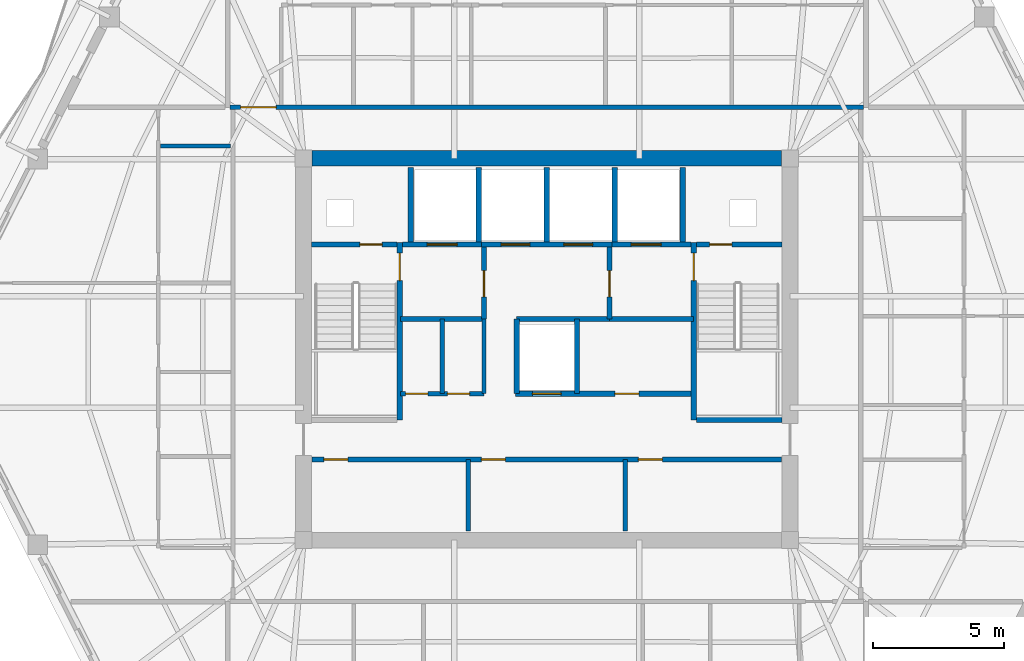
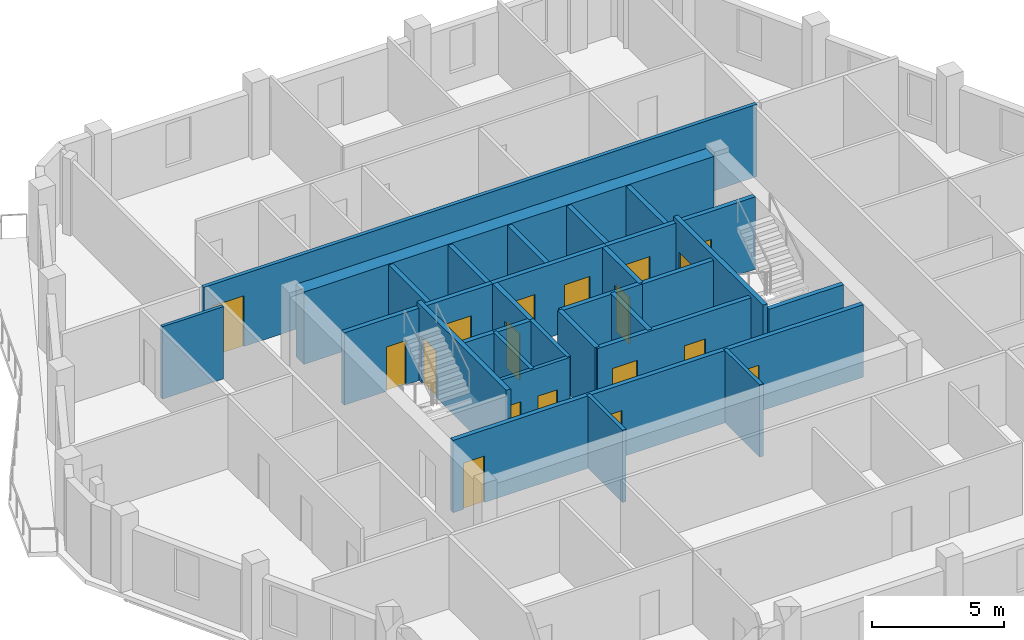
# One storey, part 5 of 9: 30 walls, 18 doors, 18 openings.
"""IFC4 building model written with IfcOpenShell, lengths in metres."""

from ifc_helpers import new_model, si_unit, direction, frame, frame_2d, origin, place, context, subcontext, project, spatial, rectangle, extrude, material, layer, layer_set, type_object, element, fill, save


model = new_model("IFC4")

# Units and contexts
model_context = context("Model", 3, precision=1e-05, world=origin(), true_north=direction((0.0, 1.0)))
body_context = subcontext(model_context, "Body", "Model", "MODEL_VIEW")
ifc_project = project(units=[si_unit("LENGTHUNIT", "METRE"), si_unit("AREAUNIT", "SQUARE_METRE"), si_unit("VOLUMEUNIT", "CUBIC_METRE"), si_unit("PLANEANGLEUNIT", "RADIAN"), si_unit("MASSUNIT", "GRAM", prefix="KILO")], contexts=[model_context])

# Site, building, storey
site_placement = place(None, origin())
site = spatial("IfcSite", under=ifc_project, at=site_placement, CompositionType="ELEMENT")
building_placement = place(site_placement, origin())
building = spatial("IfcBuilding", under=site, at=building_placement, Name="Cinnabar Lancet Tower", CompositionType="ELEMENT")
storey_placement = place(building_placement, frame((0.0, 0.0, 207.39990234375)))
storey = spatial("IfcBuildingStorey", under=building, at=storey_placement, Name="L55", CompositionType="ELEMENT", Elevation=207.39990234375)

# Wall, openings, doors
ifc_material_1 = material(Name="Acoustic twin-stud gypsum partition", Category="gypsum")
ifc_layer_1 = layer(ifc_material_1, 0.159912109375)
ifc_layer_set_1 = layer_set([ifc_layer_1], Name="Acoustic twin-stud gypsum partition")
wall_type_1 = type_object("IfcWallType", Name="ARC-WL-CORR-160", PredefinedType="PARTITIONING", material=ifc_layer_set_1)
wall_1_placement = place(storey_placement, frame((26.800048828125, 24.199951171875, 0.0), z_axis=(0.0, 0.0, 1.0), x_axis=(1.0, 0.0, 0.0)))
wall_1 = element("IfcWall", 1, at=wall_1_placement, inside=storey, type_object=wall_type_1, Name="CW-REC5S-L55", PredefinedType="PARTITIONING", context=body_context, shape_type="SweptSolid", body=[
    extrude(rectangle(XDim=3.199951171875, YDim=0.159912109375, at=frame_2d((1.60009765625, 0.0))), origin(), (0.0, 0.0, 1.0), 3.35009765625),
])
opening_1_placement = place(wall_1_placement, frame((0.199951171875, 0.0, 0.0)))
opening_1 = element("IfcOpeningElement", 2, at=opening_1_placement, cuts=wall_1, Name="Opening PD-02", PredefinedType="OPENING", context=body_context, shape_type="SweptSolid", body=[
    extrude(rectangle(XDim=0.85009765625, YDim=2.050048828125, at=frame_2d((0.425048828125, 1.02490234375))), frame((0.0, 0.08984375, 0.0), z_axis=(0.0, -1.0, 0.0), x_axis=(1.0, 0.0, 0.0)), (0.0, 0.0, 1.0), 0.179931640625),
])
opening_2_placement = place(wall_1_placement, frame((1.800048828125, 0.0, 0.0)))
opening_2 = element("IfcOpeningElement", 3, at=opening_2_placement, cuts=wall_1, Name="Opening PD-02", PredefinedType="OPENING", context=body_context, shape_type="SweptSolid", body=[
    extrude(rectangle(XDim=0.85009765625, YDim=2.050048828125, at=frame_2d((0.425048828125, 1.02490234375))), frame((0.0, 0.08984375, 0.0), z_axis=(0.0, -1.0, 0.0), x_axis=(1.0, 0.0, 0.0)), (0.0, 0.0, 1.0), 0.179931640625),
])
ifc_material_2 = material(Name="Fire-rated steel riser access door", Category="steel")
door_type_1 = type_object("IfcDoorType", Name="ARC-DR-RISER", OperationType="NOTDEFINED", PredefinedType="DOOR", material=ifc_material_2)
door_1_placement = place(opening_1_placement, origin())
door_1 = element("IfcDoor", 4, at=door_1_placement, inside=storey, type_object=door_type_1, Name="DR-L55-REC5A", OperationType="SINGLE_SWING_LEFT", OverallHeight=2.050048828125, OverallWidth=0.85009765625, PredefinedType="DOOR", context=body_context, shape_type="SweptSolid", body=[
    extrude(rectangle(XDim=0.85009765625, YDim=2.050048828125, at=frame_2d((0.425048828125, 1.02490234375))), frame((0.0, 0.02490234375, 0.0), z_axis=(0.0, -1.0, 0.0), x_axis=(1.0, 0.0, 0.0)), (0.0, 0.0, 1.0), 0.050048828125),
])
fill(opening_1, door_1)
door_2_placement = place(opening_2_placement, origin())
door_2 = element("IfcDoor", 5, at=door_2_placement, inside=storey, type_object=door_type_1, Name="DR-L55-REC5B", OperationType="SINGLE_SWING_RIGHT", OverallHeight=2.050048828125, OverallWidth=0.85009765625, PredefinedType="DOOR", context=body_context, shape_type="SweptSolid", body=[
    extrude(rectangle(XDim=0.85009765625, YDim=2.050048828125, at=frame_2d((0.425048828125, 1.02490234375))), frame((0.0, 0.02490234375, 0.0), z_axis=(0.0, -1.0, 0.0), x_axis=(1.0, 0.0, 0.0)), (0.0, 0.0, 1.0), 0.050048828125),
])
fill(opening_2, door_2)

# Walls
for number, where, z_axis, x_axis, name in (
    (6, (30.0, 24.199951171875, 0.0), (0.0, 0.0, 1.0), (0.0, 1.0, 0.0), "CW-REC5E-L55"),
    (7, (28.39990234375, 24.199951171875, 0.0), (0.0, 0.0, 1.0), (0.0, 1.0, 0.0), "CW-REC5D-L55"),
):
    element("IfcWall", number, at=place(storey_placement, frame(where, z_axis=z_axis, x_axis=x_axis)), inside=storey, type_object=wall_type_1, Name=name, PredefinedType="PARTITIONING", context=body_context, shape_type="SweptSolid", body=[
        extrude(rectangle(XDim=2.85009765625, YDim=0.159912109375, at=frame_2d((1.425048828125, 0.0))), origin(), (0.0, 0.0, 1.0), 3.35009765625),
    ])
for number, where, z_axis, x_axis, name in (
    (8, (29.39990234375, 18.949951171875, 0.0), (0.0, 0.0, 1.0), (0.0, 1.0, 0.0), "CW-SB-2940-L55"),
    (9, (35.39990234375, 18.949951171875, 0.0), (0.0, 0.0, 1.0), (0.0, 1.0, 0.0), "CW-SB-3540-L55"),
):
    element("IfcWall", number, at=place(storey_placement, frame(where, z_axis=z_axis, x_axis=x_axis)), inside=storey, type_object=wall_type_1, Name=name, PredefinedType="PARTITIONING", context=body_context, shape_type="SweptSolid", body=[
        extrude(rectangle(XDim=2.72998046875, YDim=0.159912109375, at=frame_2d((1.364990234375, 0.0))), origin(), (0.0, 0.0, 1.0), 3.35009765625),
    ])

# Wall, opening, door
wall_2_placement = place(storey_placement, frame((20.294921875, 35.14990234375, 0.0), z_axis=(0.0, 0.0, 1.0), x_axis=(1.0, 0.0, 0.0)))
wall_2 = element("IfcWall", 10, at=wall_2_placement, inside=storey, type_object=wall_type_1, Name="L55 Unit N01 Corridor Wall", PredefinedType="PARTITIONING", context=body_context, shape_type="SweptSolid", body=[
    extrude(rectangle(XDim=24.2099609375, YDim=0.159912109375, at=frame_2d((12.10498046875, 0.0))), origin(), (0.0, 0.0, 1.0), 3.35009765625),
])
opening_3_placement = place(wall_2_placement, frame((0.405029296875, 0.0, 0.0)))
opening_3 = element("IfcOpeningElement", 11, at=opening_3_placement, cuts=wall_2, Name="Opening UD-02", PredefinedType="OPENING", context=body_context, shape_type="SweptSolid", body=[
    extrude(rectangle(XDim=1.35009765625, YDim=2.35009765625, at=frame_2d((0.675048828125, 1.175048828125))), frame((0.0, 0.08984375, 0.0), z_axis=(0.0, -1.0, 0.0), x_axis=(1.0, 0.0, 0.0)), (0.0, 0.0, 1.0), 0.179931640625),
])
ifc_material_3 = material(Name="Double-leaf solid timber penthouse entrance door", Category="wood")
door_type_2 = type_object("IfcDoorType", Name="ARC-DR-UNIT-PH", OperationType="NOTDEFINED", PredefinedType="DOOR", material=ifc_material_3)
door_3_placement = place(opening_3_placement, origin())
door_3 = element("IfcDoor", 12, at=door_3_placement, inside=storey, type_object=door_type_2, Name="DR-L55-N01-ENT", OperationType="SINGLE_SWING_LEFT", OverallHeight=2.35009765625, OverallWidth=1.35009765625, PredefinedType="DOOR", context=body_context, shape_type="SweptSolid", body=[
    extrude(rectangle(XDim=1.35009765625, YDim=2.35009765625, at=frame_2d((0.675048828125, 1.175048828125))), frame((0.0, 0.02490234375, 0.0), z_axis=(0.0, -1.0, 0.0), x_axis=(1.0, 0.0, 0.0)), (0.0, 0.0, 1.0), 0.050048828125),
])
fill(opening_3, door_3)

# Wall
ifc_material_4 = material(Name="Autoclaved aerated concrete blockwork", Category="masonry")
ifc_layer_2 = layer(ifc_material_4, 0.199951171875)
ifc_layer_set_2 = layer_set([ifc_layer_2], Name="Autoclaved aerated concrete blockwork")
wall_type_2 = type_object("IfcWallType", Name="ARC-WL-SHAFT-200", PredefinedType="PLUMBINGWALL", material=ifc_layer_set_2)
wall_3_placement = place(storey_placement, frame((38.125, 23.199951171875, 0.0), z_axis=(0.0, 0.0, 1.0), x_axis=(1.0, 0.0, 0.0)))
element("IfcWall", 13, at=wall_3_placement, inside=storey, type_object=wall_type_2, Name="CW-ST2S-L55", PredefinedType="PLUMBINGWALL", context=body_context, shape_type="SweptSolid", body=[
    extrude(rectangle(XDim=3.27001953125, YDim=0.199951171875, at=frame_2d((1.635009765625, 0.0))), origin(), (0.0, 0.0, 1.0), 3.35009765625),
])

# Wall, opening, door
wall_4_placement = place(storey_placement, frame((23.405029296875, 29.89990234375, 0.0), z_axis=(0.0, 0.0, 1.0), x_axis=(1.0, 0.0, 0.0)))
wall_4 = element("IfcWall", 14, at=wall_4_placement, inside=storey, type_object=wall_type_2, Name="CW-NSH-W-L55", PredefinedType="PLUMBINGWALL", context=body_context, shape_type="SweptSolid", body=[
    extrude(rectangle(XDim=3.27001953125, YDim=0.199951171875, at=frame_2d((1.635009765625, 0.0))), origin(), (0.0, 0.0, 1.0), 3.35009765625),
])
opening_4_placement = place(wall_4_placement, frame((1.85009765625, 0.0, 0.0)))
opening_4 = element("IfcOpeningElement", 15, at=opening_4_placement, cuts=wall_4, Name="Opening PD-02", PredefinedType="OPENING", context=body_context, shape_type="SweptSolid", body=[
    extrude(rectangle(XDim=0.85009765625, YDim=2.050048828125, at=frame_2d((0.425048828125, 1.02490234375))), frame((0.0, 0.10986328125, 0.0), z_axis=(0.0, -1.0, 0.0), x_axis=(1.0, 0.0, 0.0)), (0.0, 0.0, 1.0), 0.219970703125),
])
door_4_placement = place(opening_4_placement, origin())
door_4 = element("IfcDoor", 16, at=door_4_placement, inside=storey, type_object=door_type_1, Name="L55 West Riser Access Door", OperationType="SINGLE_SWING_LEFT", OverallHeight=2.050048828125, OverallWidth=0.85009765625, PredefinedType="DOOR", context=body_context, shape_type="SweptSolid", body=[
    extrude(rectangle(XDim=0.85009765625, YDim=2.050048828125, at=frame_2d((0.425048828125, 1.02490234375))), frame((0.0, 0.02490234375, 0.0), z_axis=(0.0, -1.0, 0.0), x_axis=(1.0, 0.0, 0.0)), (0.0, 0.0, 1.0), 0.050048828125),
])
fill(opening_4, door_4)

wall_5_placement = place(storey_placement, frame((26.885009765625, 29.89990234375, 0.0), z_axis=(0.0, 0.0, 1.0), x_axis=(1.0, 0.0, 0.0)))
wall_5 = element("IfcWall", 17, at=wall_5_placement, inside=storey, type_object=wall_type_2, Name="CW-FL1-L55", PredefinedType="PLUMBINGWALL", context=body_context, shape_type="SweptSolid", body=[
    extrude(rectangle(XDim=3.014892578125, YDim=0.199951171875, at=frame_2d((1.50732421875, 0.0))), origin(), (0.0, 0.0, 1.0), 3.35009765625),
])
opening_5_placement = place(wall_5_placement, frame((0.93994140625, 0.0, 0.0)))
opening_5 = element("IfcOpeningElement", 18, at=opening_5_placement, cuts=wall_5, Name="Opening LD-02", PredefinedType="OPENING", context=body_context, shape_type="SweptSolid", body=[
    extrude(rectangle(XDim=1.14990234375, YDim=2.199951171875, at=frame_2d((0.574951171875, 1.10009765625))), frame((0.0, 0.10986328125, 0.0), z_axis=(0.0, -1.0, 0.0), x_axis=(1.0, 0.0, 0.0)), (0.0, 0.0, 1.0), 0.219970703125),
])
ifc_material_5 = material(Name="Fire-rated stainless steel firefighting lift landing door", Category="steel")
door_type_3 = type_object("IfcDoorType", Name="ARC-DR-LD-FIRE", OperationType="NOTDEFINED", PredefinedType="DOOR", material=ifc_material_5)
door_5_placement = place(opening_5_placement, origin())
door_5 = element("IfcDoor", 19, at=door_5_placement, inside=storey, type_object=door_type_3, Name="L55 Firefighting Lift FL-1 Landing Door", OperationType="DOUBLE_DOOR_SLIDING", OverallHeight=2.199951171875, OverallWidth=1.14990234375, PredefinedType="DOOR", context=body_context, shape_type="SweptSolid", body=[
    extrude(rectangle(XDim=1.14990234375, YDim=2.199951171875, at=frame_2d((0.574951171875, 1.10009765625))), frame((0.0, 0.02490234375, 0.0), z_axis=(0.0, -1.0, 0.0), x_axis=(1.0, 0.0, 0.0)), (0.0, 0.0, 1.0), 0.050048828125),
])
fill(opening_5, door_5)

# Wall, openings, doors
wall_6_placement = place(storey_placement, frame((29.89990234375, 29.89990234375, 0.0), z_axis=(0.0, 0.0, 1.0), x_axis=(1.0, 0.0, 0.0)))
wall_6 = element("IfcWall", 20, at=wall_6_placement, inside=storey, type_object=wall_type_2, Name="CW-PL78-L55", PredefinedType="PLUMBINGWALL", context=body_context, shape_type="SweptSolid", body=[
    extrude(rectangle(XDim=5.0, YDim=0.199951171875, at=frame_2d((2.5, 0.0))), origin(), (0.0, 0.0, 1.0), 3.35009765625),
])
opening_6_placement = place(wall_6_placement, frame((0.75, 0.0, 0.0)))
opening_6 = element("IfcOpeningElement", 21, at=opening_6_placement, cuts=wall_6, Name="Opening LD-01", PredefinedType="OPENING", context=body_context, shape_type="SweptSolid", body=[
    extrude(rectangle(XDim=1.10009765625, YDim=2.199951171875, at=frame_2d((0.550048828125, 1.10009765625))), frame((0.0, 0.10986328125, 0.0), z_axis=(0.0, -1.0, 0.0), x_axis=(1.0, 0.0, 0.0)), (0.0, 0.0, 1.0), 0.219970703125),
])
opening_7_placement = place(wall_6_placement, frame((3.14990234375, 0.0, 0.0)))
opening_7 = element("IfcOpeningElement", 22, at=opening_7_placement, cuts=wall_6, Name="Opening LD-01", PredefinedType="OPENING", context=body_context, shape_type="SweptSolid", body=[
    extrude(rectangle(XDim=1.10009765625, YDim=2.199951171875, at=frame_2d((0.550048828125, 1.10009765625))), frame((0.0, 0.10986328125, 0.0), z_axis=(0.0, -1.0, 0.0), x_axis=(1.0, 0.0, 0.0)), (0.0, 0.0, 1.0), 0.219970703125),
])
ifc_material_6 = material(Name="Brushed stainless steel sliding lift door", Category="steel")
door_type_4 = type_object("IfcDoorType", Name="ARC-DR-LD-PASS", OperationType="NOTDEFINED", PredefinedType="DOOR", material=ifc_material_6)
door_6_placement = place(opening_6_placement, origin())
door_6 = element("IfcDoor", 23, at=door_6_placement, inside=storey, type_object=door_type_4, Name="L55 Lift PL-7 Landing Door", OperationType="DOUBLE_DOOR_SLIDING", OverallHeight=2.199951171875, OverallWidth=1.10009765625, PredefinedType="DOOR", context=body_context, shape_type="SweptSolid", body=[
    extrude(rectangle(XDim=1.10009765625, YDim=2.199951171875, at=frame_2d((0.550048828125, 1.10009765625))), frame((0.0, 0.02490234375, 0.0), z_axis=(0.0, -1.0, 0.0), x_axis=(1.0, 0.0, 0.0)), (0.0, 0.0, 1.0), 0.050048828125),
])
fill(opening_6, door_6)
door_7_placement = place(opening_7_placement, origin())
door_7 = element("IfcDoor", 24, at=door_7_placement, inside=storey, type_object=door_type_4, Name="L55 Lift PL-8 Landing Door", OperationType="DOUBLE_DOOR_SLIDING", OverallHeight=2.199951171875, OverallWidth=1.10009765625, PredefinedType="DOOR", context=body_context, shape_type="SweptSolid", body=[
    extrude(rectangle(XDim=1.10009765625, YDim=2.199951171875, at=frame_2d((0.550048828125, 1.10009765625))), frame((0.0, 0.02490234375, 0.0), z_axis=(0.0, -1.0, 0.0), x_axis=(1.0, 0.0, 0.0)), (0.0, 0.0, 1.0), 0.050048828125),
])
fill(opening_7, door_7)

# Wall, opening, door
wall_7_placement = place(storey_placement, frame((34.89990234375, 29.89990234375, 0.0), z_axis=(0.0, 0.0, 1.0), x_axis=(1.0, 0.0, 0.0)))
wall_7 = element("IfcWall", 25, at=wall_7_placement, inside=storey, type_object=wall_type_2, Name="CW-FL2-L55", PredefinedType="PLUMBINGWALL", context=body_context, shape_type="SweptSolid", body=[
    extrude(rectangle(XDim=3.01513671875, YDim=0.199951171875, at=frame_2d((1.507568359375, 0.0))), origin(), (0.0, 0.0, 1.0), 3.35009765625),
])
opening_8_placement = place(wall_7_placement, frame((0.72509765625, 0.0, 0.0)))
opening_8 = element("IfcOpeningElement", 26, at=opening_8_placement, cuts=wall_7, Name="Opening LD-02", PredefinedType="OPENING", context=body_context, shape_type="SweptSolid", body=[
    extrude(rectangle(XDim=1.14990234375, YDim=2.199951171875, at=frame_2d((0.574951171875, 1.10009765625))), frame((0.0, 0.10986328125, 0.0), z_axis=(0.0, -1.0, 0.0), x_axis=(1.0, 0.0, 0.0)), (0.0, 0.0, 1.0), 0.219970703125),
])
door_8_placement = place(opening_8_placement, origin())
door_8 = element("IfcDoor", 27, at=door_8_placement, inside=storey, type_object=door_type_3, Name="L55 Firefighting Lift FL-2 Landing Door", OperationType="DOUBLE_DOOR_SLIDING", OverallHeight=2.199951171875, OverallWidth=1.14990234375, PredefinedType="DOOR", context=body_context, shape_type="SweptSolid", body=[
    extrude(rectangle(XDim=1.14990234375, YDim=2.199951171875, at=frame_2d((0.574951171875, 1.10009765625))), frame((0.0, 0.02490234375, 0.0), z_axis=(0.0, -1.0, 0.0), x_axis=(1.0, 0.0, 0.0)), (0.0, 0.0, 1.0), 0.050048828125),
])
fill(opening_8, door_8)

wall_8_placement = place(storey_placement, frame((38.125, 29.89990234375, 0.0), z_axis=(0.0, 0.0, 1.0), x_axis=(1.0, 0.0, 0.0)))
wall_8 = element("IfcWall", 28, at=wall_8_placement, inside=storey, type_object=wall_type_2, Name="CW-NSH-E-L55", PredefinedType="PLUMBINGWALL", context=body_context, shape_type="SweptSolid", body=[
    extrude(rectangle(XDim=3.27001953125, YDim=0.199951171875, at=frame_2d((1.635009765625, 0.0))), origin(), (0.0, 0.0, 1.0), 3.35009765625),
])
opening_9_placement = place(wall_8_placement, frame((0.5, 0.0, 0.0)))
opening_9 = element("IfcOpeningElement", 29, at=opening_9_placement, cuts=wall_8, Name="Opening PD-02", PredefinedType="OPENING", context=body_context, shape_type="SweptSolid", body=[
    extrude(rectangle(XDim=0.85009765625, YDim=2.050048828125, at=frame_2d((0.425048828125, 1.02490234375))), frame((0.0, 0.10986328125, 0.0), z_axis=(0.0, -1.0, 0.0), x_axis=(1.0, 0.0, 0.0)), (0.0, 0.0, 1.0), 0.219970703125),
])
door_9_placement = place(opening_9_placement, origin())
door_9 = element("IfcDoor", 30, at=door_9_placement, inside=storey, type_object=door_type_1, Name="L55 East Riser Access Door", OperationType="SINGLE_SWING_RIGHT", OverallHeight=2.050048828125, OverallWidth=0.85009765625, PredefinedType="DOOR", context=body_context, shape_type="SweptSolid", body=[
    extrude(rectangle(XDim=0.85009765625, YDim=2.050048828125, at=frame_2d((0.425048828125, 1.02490234375))), frame((0.0, 0.02490234375, 0.0), z_axis=(0.0, -1.0, 0.0), x_axis=(1.0, 0.0, 0.0)), (0.0, 0.0, 1.0), 0.050048828125),
])
fill(opening_9, door_9)

# Walls
for number, where, z_axis, x_axis, name in (
    (31, (27.199951171875, 30.0, 0.0), (0.0, 0.0, 1.0), (0.0, 1.0, 0.0), "CW-NSH-D1-L55"),
    (32, (29.800048828125, 30.0, 0.0), (0.0, 0.0, 1.0), (0.0, 1.0, 0.0), "CW-NSH-D2-L55"),
    (33, (32.39990234375, 30.0, 0.0), (0.0, 0.0, 1.0), (0.0, 1.0, 0.0), "CW-NSH-D3-L55"),
    (34, (35.0, 30.0, 0.0), (0.0, 0.0, 1.0), (0.0, 1.0, 0.0), "CW-NSH-D4-L55"),
    (35, (37.60009765625, 30.0, 0.0), (0.0, 0.0, 1.0), (0.0, 1.0, 0.0), "CW-NSH-D5-L55"),
):
    element("IfcWall", number, at=place(storey_placement, frame(where, z_axis=z_axis, x_axis=x_axis)), inside=storey, type_object=wall_type_2, Name=name, PredefinedType="PLUMBINGWALL", context=body_context, shape_type="SweptSolid", body=[
        extrude(rectangle(XDim=2.85009765625, YDim=0.199951171875, at=frame_2d((1.425048828125, 0.0))), origin(), (0.0, 0.0, 1.0), 3.35009765625),
    ])

# Wall, opening, door
wall_9_placement = place(storey_placement, frame((30.0, 27.050048828125, 0.0), z_axis=(0.0, 0.0, 1.0), x_axis=(0.0, 1.0, 0.0)))
wall_9 = element("IfcWall", 36, at=wall_9_placement, inside=storey, type_object=wall_type_2, Name="CW-FF1E-L55", PredefinedType="PLUMBINGWALL", context=body_context, shape_type="SweptSolid", body=[
    extrude(rectangle(XDim=2.75, YDim=0.199951171875, at=frame_2d((1.375, 0.0))), origin(), (0.0, 0.0, 1.0), 3.35009765625),
])
opening_10_placement = place(wall_9_placement, frame((0.85009765625, 0.0, 0.0)))
opening_10 = element("IfcOpeningElement", 37, at=opening_10_placement, cuts=wall_9, Name="Opening FD-01", PredefinedType="OPENING", context=body_context, shape_type="SweptSolid", body=[
    extrude(rectangle(XDim=1.0, YDim=2.14990234375, at=frame_2d((0.5, 1.074951171875))), frame((0.0, 0.10986328125, 0.0), z_axis=(0.0, -1.0, 0.0), x_axis=(1.0, 0.0, 0.0)), (0.0, 0.0, 1.0), 0.219970703125),
])
ifc_material_7 = material(Name="Fire-rated timber-core lobby door", Category="wood")
door_type_5 = type_object("IfcDoorType", Name="ARC-DR-FFAL", OperationType="NOTDEFINED", PredefinedType="DOOR", material=ifc_material_7)
door_10_placement = place(opening_10_placement, origin())
door_10 = element("IfcDoor", 38, at=door_10_placement, inside=storey, type_object=door_type_5, Name="L55 FFAL-1 Lobby Fire Door", OperationType="SINGLE_SWING_RIGHT", OverallHeight=2.14990234375, OverallWidth=1.0, PredefinedType="DOOR", context=body_context, shape_type="SweptSolid", body=[
    extrude(rectangle(XDim=1.0, YDim=2.14990234375, at=frame_2d((0.5, 1.074951171875))), frame((0.0, 0.02490234375, 0.0), z_axis=(0.0, -1.0, 0.0), x_axis=(1.0, 0.0, 0.0)), (0.0, 0.0, 1.0), 0.050048828125),
])
fill(opening_10, door_10)

# Wall
wall_10_placement = place(storey_placement, frame((26.800048828125, 27.050048828125, 0.0), z_axis=(0.0, 0.0, 1.0), x_axis=(1.0, 0.0, 0.0)))
element("IfcWall", 39, at=wall_10_placement, inside=storey, type_object=wall_type_2, Name="CW-FF1S-L55", PredefinedType="PLUMBINGWALL", context=body_context, shape_type="SweptSolid", body=[
    extrude(rectangle(XDim=3.199951171875, YDim=0.199951171875, at=frame_2d((1.60009765625, 0.0))), origin(), (0.0, 0.0, 1.0), 3.35009765625),
])

# Wall, opening, door
wall_11_placement = place(storey_placement, frame((34.800048828125, 27.050048828125, 0.0), z_axis=(0.0, 0.0, 1.0), x_axis=(0.0, 1.0, 0.0)))
wall_11 = element("IfcWall", 40, at=wall_11_placement, inside=storey, type_object=wall_type_2, Name="CW-FF2W-L55", PredefinedType="PLUMBINGWALL", context=body_context, shape_type="SweptSolid", body=[
    extrude(rectangle(XDim=2.75, YDim=0.199951171875, at=frame_2d((1.375, 0.0))), origin(), (0.0, 0.0, 1.0), 3.35009765625),
])
opening_11_placement = place(wall_11_placement, frame((0.85009765625, 0.0, 0.0)))
opening_11 = element("IfcOpeningElement", 41, at=opening_11_placement, cuts=wall_11, Name="Opening FD-01", PredefinedType="OPENING", context=body_context, shape_type="SweptSolid", body=[
    extrude(rectangle(XDim=1.0, YDim=2.14990234375, at=frame_2d((0.5, 1.074951171875))), frame((0.0, 0.10986328125, 0.0), z_axis=(0.0, -1.0, 0.0), x_axis=(1.0, 0.0, 0.0)), (0.0, 0.0, 1.0), 0.219970703125),
])
door_11_placement = place(opening_11_placement, origin())
door_11 = element("IfcDoor", 42, at=door_11_placement, inside=storey, type_object=door_type_5, Name="L55 FFAL-2 Lobby Fire Door", OperationType="SINGLE_SWING_LEFT", OverallHeight=2.14990234375, OverallWidth=1.0, PredefinedType="DOOR", context=body_context, shape_type="SweptSolid", body=[
    extrude(rectangle(XDim=1.0, YDim=2.14990234375, at=frame_2d((0.5, 1.074951171875))), frame((0.0, 0.02490234375, 0.0), z_axis=(0.0, -1.0, 0.0), x_axis=(1.0, 0.0, 0.0)), (0.0, 0.0, 1.0), 0.050048828125),
])
fill(opening_11, door_11)

# Wall
wall_12_placement = place(storey_placement, frame((34.800048828125, 27.050048828125, 0.0), z_axis=(0.0, 0.0, 1.0), x_axis=(1.0, 0.0, 0.0)))
element("IfcWall", 43, at=wall_12_placement, inside=storey, type_object=wall_type_2, Name="CW-FF2S-L55", PredefinedType="PLUMBINGWALL", context=body_context, shape_type="SweptSolid", body=[
    extrude(rectangle(XDim=3.199951171875, YDim=0.199951171875, at=frame_2d((1.60009765625, 0.0))), origin(), (0.0, 0.0, 1.0), 3.35009765625),
])

# Wall, openings, doors
wall_13_placement = place(storey_placement, frame((31.199951171875, 24.199951171875, 0.0), z_axis=(0.0, 0.0, 1.0), x_axis=(1.0, 0.0, 0.0)))
wall_13 = element("IfcWall", 44, at=wall_13_placement, inside=storey, type_object=wall_type_2, Name="CW-PL96S-L55", PredefinedType="PLUMBINGWALL", context=body_context, shape_type="SweptSolid", body=[
    extrude(rectangle(XDim=6.800048828125, YDim=0.199951171875, at=frame_2d((3.39990234375, 0.0))), origin(), (0.0, 0.0, 1.0), 3.35009765625),
])
opening_12_placement = place(wall_13_placement, frame((0.64990234375, 0.0, 0.0)))
opening_12 = element("IfcOpeningElement", 45, at=opening_12_placement, cuts=wall_13, Name="Opening LD-01", PredefinedType="OPENING", context=body_context, shape_type="SweptSolid", body=[
    extrude(rectangle(XDim=1.10009765625, YDim=2.199951171875, at=frame_2d((0.550048828125, 1.10009765625))), frame((0.0, 0.10986328125, 0.0), z_axis=(0.0, -1.0, 0.0), x_axis=(1.0, 0.0, 0.0)), (0.0, 0.0, 1.0), 0.219970703125),
])
opening_13_placement = place(wall_13_placement, frame((3.800048828125, 0.0, 0.0)))
opening_13 = element("IfcOpeningElement", 46, at=opening_13_placement, cuts=wall_13, Name="Opening RD-01", PredefinedType="OPENING", context=body_context, shape_type="SweptSolid", body=[
    extrude(rectangle(XDim=0.919921875, YDim=2.14990234375, at=frame_2d((0.4599609375, 1.074951171875))), frame((0.0, 0.10986328125, 0.0), z_axis=(0.0, -1.0, 0.0), x_axis=(1.0, 0.0, 0.0)), (0.0, 0.0, 1.0), 0.219970703125),
])
door_12_placement = place(opening_12_placement, origin())
door_12 = element("IfcDoor", 47, at=door_12_placement, inside=storey, type_object=door_type_4, Name="L55 Lift PL-9 Landing Door", OperationType="DOUBLE_DOOR_SLIDING", OverallHeight=2.199951171875, OverallWidth=1.10009765625, PredefinedType="DOOR", context=body_context, shape_type="SweptSolid", body=[
    extrude(rectangle(XDim=1.10009765625, YDim=2.199951171875, at=frame_2d((0.550048828125, 1.10009765625))), frame((0.0, 0.02490234375, 0.0), z_axis=(0.0, -1.0, 0.0), x_axis=(1.0, 0.0, 0.0)), (0.0, 0.0, 1.0), 0.050048828125),
])
fill(opening_12, door_12)
ifc_material_8 = material(Name="Engineered timber bedroom door", Category="wood")
door_type_6 = type_object("IfcDoorType", Name="ARC-DR-ROOM", OperationType="NOTDEFINED", PredefinedType="DOOR", material=ifc_material_8)
door_13_placement = place(opening_13_placement, origin())
door_13 = element("IfcDoor", 48, at=door_13_placement, inside=storey, type_object=door_type_6, Name="DR-L55-REC6", OperationType="SINGLE_SWING_RIGHT", OverallHeight=2.14990234375, OverallWidth=0.919921875, PredefinedType="DOOR", context=body_context, shape_type="SweptSolid", body=[
    extrude(rectangle(XDim=0.919921875, YDim=2.14990234375, at=frame_2d((0.4599609375, 1.074951171875))), frame((0.0, 0.02490234375, 0.0), z_axis=(0.0, -1.0, 0.0), x_axis=(1.0, 0.0, 0.0)), (0.0, 0.0, 1.0), 0.050048828125),
])
fill(opening_13, door_13)

# Walls
for number, where, z_axis, x_axis, name in (
    (49, (31.25, 24.199951171875, 0.0), (0.0, 0.0, 1.0), (0.0, 1.0, 0.0), "CW-PL9W-L55"),
    (50, (33.550048828125, 24.199951171875, 0.0), (0.0, 0.0, 1.0), (0.0, 1.0, 0.0), "CW-PL9E-L55"),
):
    element("IfcWall", number, at=place(storey_placement, frame(where, z_axis=z_axis, x_axis=x_axis)), inside=storey, type_object=wall_type_2, Name=name, PredefinedType="PLUMBINGWALL", context=body_context, shape_type="SweptSolid", body=[
        extrude(rectangle(XDim=2.85009765625, YDim=0.199951171875, at=frame_2d((1.425048828125, 0.0))), origin(), (0.0, 0.0, 1.0), 3.35009765625),
    ])
wall_14_placement = place(storey_placement, frame((31.25, 27.050048828125, 0.0), z_axis=(0.0, 0.0, 1.0), x_axis=(1.0, 0.0, 0.0)))
element("IfcWall", 51, at=wall_14_placement, inside=storey, type_object=wall_type_2, Name="CW-PL96N-L55", PredefinedType="PLUMBINGWALL", context=body_context, shape_type="SweptSolid", body=[
    extrude(rectangle(XDim=3.550048828125, YDim=0.199951171875, at=frame_2d((1.77490234375, 0.0))), origin(), (0.0, 0.0, 1.0), 3.35009765625),
])

# Wall, openings, doors
wall_15_placement = place(storey_placement, frame((23.419921875, 21.679931640625, 0.0), z_axis=(0.0, 0.0, 1.0), x_axis=(1.0, 0.0, 0.0)))
wall_15 = element("IfcWall", 52, at=wall_15_placement, inside=storey, type_object=wall_type_2, Name="CW-SBANDN-L55", PredefinedType="PLUMBINGWALL", context=body_context, shape_type="SweptSolid", body=[
    extrude(rectangle(XDim=17.9599609375, YDim=0.199951171875, at=frame_2d((8.97998046875, 0.0))), origin(), (0.0, 0.0, 1.0), 3.35009765625),
])
opening_14_placement = place(wall_15_placement, frame((0.4599609375, 0.0, 0.0)))
opening_14 = element("IfcOpeningElement", 53, at=opening_14_placement, cuts=wall_15, Name="Opening RD-01", PredefinedType="OPENING", context=body_context, shape_type="SweptSolid", body=[
    extrude(rectangle(XDim=0.919921875, YDim=2.14990234375, at=frame_2d((0.4599609375, 1.074951171875))), frame((0.0, 0.10986328125, 0.0), z_axis=(0.0, -1.0, 0.0), x_axis=(1.0, 0.0, 0.0)), (0.0, 0.0, 1.0), 0.219970703125),
])
opening_15_placement = place(wall_15_placement, frame((6.47998046875, 0.0, 0.0)))
opening_15 = element("IfcOpeningElement", 54, at=opening_15_placement, cuts=wall_15, Name="Opening RD-01", PredefinedType="OPENING", context=body_context, shape_type="SweptSolid", body=[
    extrude(rectangle(XDim=0.919921875, YDim=2.14990234375, at=frame_2d((0.4599609375, 1.074951171875))), frame((0.0, 0.10986328125, 0.0), z_axis=(0.0, -1.0, 0.0), x_axis=(1.0, 0.0, 0.0)), (0.0, 0.0, 1.0), 0.219970703125),
])
opening_16_placement = place(wall_15_placement, frame((12.47998046875, 0.0, 0.0)))
opening_16 = element("IfcOpeningElement", 55, at=opening_16_placement, cuts=wall_15, Name="Opening RD-01", PredefinedType="OPENING", context=body_context, shape_type="SweptSolid", body=[
    extrude(rectangle(XDim=0.919921875, YDim=2.14990234375, at=frame_2d((0.4599609375, 1.074951171875))), frame((0.0, 0.10986328125, 0.0), z_axis=(0.0, -1.0, 0.0), x_axis=(1.0, 0.0, 0.0)), (0.0, 0.0, 1.0), 0.219970703125),
])
door_14_placement = place(opening_14_placement, origin())
door_14 = element("IfcDoor", 56, at=door_14_placement, inside=storey, type_object=door_type_6, Name="DR-L55-HREC1", OperationType="SINGLE_SWING_LEFT", OverallHeight=2.14990234375, OverallWidth=0.919921875, PredefinedType="DOOR", context=body_context, shape_type="SweptSolid", body=[
    extrude(rectangle(XDim=0.919921875, YDim=2.14990234375, at=frame_2d((0.4599609375, 1.074951171875))), frame((0.0, 0.02490234375, 0.0), z_axis=(0.0, -1.0, 0.0), x_axis=(1.0, 0.0, 0.0)), (0.0, 0.0, 1.0), 0.050048828125),
])
fill(opening_14, door_14)
door_15_placement = place(opening_15_placement, origin())
door_15 = element("IfcDoor", 57, at=door_15_placement, inside=storey, type_object=door_type_6, Name="DR-L55-HREC2", OperationType="SINGLE_SWING_RIGHT", OverallHeight=2.14990234375, OverallWidth=0.919921875, PredefinedType="DOOR", context=body_context, shape_type="SweptSolid", body=[
    extrude(rectangle(XDim=0.919921875, YDim=2.14990234375, at=frame_2d((0.4599609375, 1.074951171875))), frame((0.0, 0.02490234375, 0.0), z_axis=(0.0, -1.0, 0.0), x_axis=(1.0, 0.0, 0.0)), (0.0, 0.0, 1.0), 0.050048828125),
])
fill(opening_15, door_15)
door_16_placement = place(opening_16_placement, origin())
door_16 = element("IfcDoor", 58, at=door_16_placement, inside=storey, type_object=door_type_6, Name="DR-L55-HREC3", OperationType="SINGLE_SWING_LEFT", OverallHeight=2.14990234375, OverallWidth=0.919921875, PredefinedType="DOOR", context=body_context, shape_type="SweptSolid", body=[
    extrude(rectangle(XDim=0.919921875, YDim=2.14990234375, at=frame_2d((0.4599609375, 1.074951171875))), frame((0.0, 0.02490234375, 0.0), z_axis=(0.0, -1.0, 0.0), x_axis=(1.0, 0.0, 0.0)), (0.0, 0.0, 1.0), 0.050048828125),
])
fill(opening_16, door_16)

# Walls
ifc_material_9 = material(Name="Moisture-resistant cement-board plumbing wall", Category="masonry")
ifc_layer_3 = layer(ifc_material_9, 0.139892578125)
ifc_layer_set_3 = layer_set([ifc_layer_3], Name="Moisture-resistant cement-board plumbing wall")
wall_type_3 = type_object("IfcWallType", Name="ARC-WL-WET-140", PredefinedType="PLUMBINGWALL", material=ifc_layer_set_3)
wall_16_placement = place(storey_placement, frame((17.635009765625, 33.66796875, 0.0), z_axis=(0.0, 0.0, 1.0), x_axis=(1.0, 0.0, 0.0)))
element("IfcWall", 59, at=wall_16_placement, inside=storey, type_object=wall_type_3, Name="UW-L55-W01-EWDV", PredefinedType="PLUMBINGWALL", context=body_context, shape_type="SweptSolid", body=[
    extrude(rectangle(XDim=2.679931640625, YDim=0.139892578125, at=frame_2d((1.33984375, 0.0))), origin(), (0.0, 0.0, 1.0), 3.35009765625),
])
ifc_material_10 = material(Name="Concrete C60/75", Category="concrete")
ifc_layer_4 = layer(ifc_material_10, 0.60009765625)
ifc_layer_set_4 = layer_set([ifc_layer_4], Name="Concrete C60/75")
wall_type_4 = type_object("IfcWallType", Name="STR-WL-CORE-600", PredefinedType="SHEAR", material=ifc_layer_set_4)
wall_17_placement = place(storey_placement, frame((23.425048828125, 33.199951171875, 0.0), z_axis=(0.0, 0.0, 1.0), x_axis=(1.0, 0.0, 0.0)))
element("IfcWall", 60, at=wall_17_placement, inside=storey, type_object=wall_type_4, Name="L55 Core Shear Wall N", PredefinedType="SHEAR", context=body_context, shape_type="SweptSolid", body=[
    extrude(rectangle(XDim=17.949951171875, YDim=0.60009765625, at=frame_2d((8.97509765625, 0.0))), origin(), (0.0, 0.0, 1.0), 3.35009765625),
])

# Wall, opening, door
ifc_material_11 = material(Name="Concrete C50/60", Category="concrete")
ifc_layer_5 = layer(ifc_material_11, 0.199951171875)
ifc_layer_set_5 = layer_set([ifc_layer_5], Name="Concrete C50/60")
wall_type_5 = type_object("IfcWallType", Name="STR-WL-STAIR-200", PredefinedType="SHEAR", material=ifc_layer_set_5)
wall_18_placement = place(storey_placement, frame((26.780029296875, 23.199951171875, 0.0), z_axis=(0.0, 0.0, 1.0), x_axis=(0.0, 1.0, 0.0)))
wall_18 = element("IfcWall", 61, at=wall_18_placement, inside=storey, type_object=wall_type_5, Name="L55 Stair ST-1 Structural Enclosure Wall", PredefinedType="SHEAR", context=body_context, shape_type="SweptSolid", body=[
    extrude(rectangle(XDim=6.780029296875, YDim=0.199951171875, at=frame_2d((3.39013671875, 0.0))), origin(), (0.0, 0.0, 1.0), 3.550048828125),
])
opening_17_placement = place(wall_18_placement, frame((5.320068359375, 0.0, 0.0)))
opening_17 = element("IfcOpeningElement", 62, at=opening_17_placement, cuts=wall_18, Name="Opening SD-01", PredefinedType="OPENING", context=body_context, shape_type="SweptSolid", body=[
    extrude(rectangle(XDim=1.050048828125, YDim=2.14990234375, at=frame_2d((0.52490234375, 1.074951171875))), frame((0.0, 0.10986328125, 0.0), z_axis=(0.0, -1.0, 0.0), x_axis=(1.0, 0.0, 0.0)), (0.0, 0.0, 1.0), 0.219970703125),
])
ifc_material_12 = material(Name="Fire-rated steel stair exit door", Category="steel")
door_type_7 = type_object("IfcDoorType", Name="ARC-DR-STAIR", OperationType="NOTDEFINED", PredefinedType="DOOR", material=ifc_material_12)
door_17_placement = place(opening_17_placement, origin())
door_17 = element("IfcDoor", 63, at=door_17_placement, inside=storey, type_object=door_type_7, Name="L55 Stair ST-1 Fire Door", OperationType="SINGLE_SWING_LEFT", OverallHeight=2.14990234375, OverallWidth=1.050048828125, PredefinedType="DOOR", context=body_context, shape_type="SweptSolid", body=[
    extrude(rectangle(XDim=1.050048828125, YDim=2.14990234375, at=frame_2d((0.52490234375, 1.074951171875))), frame((0.0, 0.02490234375, 0.0), z_axis=(0.0, -1.0, 0.0), x_axis=(1.0, 0.0, 0.0)), (0.0, 0.0, 1.0), 0.050048828125),
])
fill(opening_17, door_17)

wall_19_placement = place(storey_placement, frame((38.02001953125, 23.199951171875, 0.0), z_axis=(0.0, 0.0, 1.0), x_axis=(0.0, 1.0, 0.0)))
wall_19 = element("IfcWall", 64, at=wall_19_placement, inside=storey, type_object=wall_type_5, Name="L55 Stair ST-2 Structural Enclosure Wall", PredefinedType="SHEAR", context=body_context, shape_type="SweptSolid", body=[
    extrude(rectangle(XDim=6.780029296875, YDim=0.199951171875, at=frame_2d((3.39013671875, 0.0))), origin(), (0.0, 0.0, 1.0), 3.550048828125),
])
opening_18_placement = place(wall_19_placement, frame((5.320068359375, 0.0, 0.0)))
opening_18 = element("IfcOpeningElement", 65, at=opening_18_placement, cuts=wall_19, Name="Opening SD-01", PredefinedType="OPENING", context=body_context, shape_type="SweptSolid", body=[
    extrude(rectangle(XDim=1.050048828125, YDim=2.14990234375, at=frame_2d((0.52490234375, 1.074951171875))), frame((0.0, 0.10986328125, 0.0), z_axis=(0.0, -1.0, 0.0), x_axis=(1.0, 0.0, 0.0)), (0.0, 0.0, 1.0), 0.219970703125),
])
door_18_placement = place(opening_18_placement, origin())
door_18 = element("IfcDoor", 66, at=door_18_placement, inside=storey, type_object=door_type_7, Name="L55 Stair ST-2 Fire Door", OperationType="SINGLE_SWING_RIGHT", OverallHeight=2.14990234375, OverallWidth=1.050048828125, PredefinedType="DOOR", context=body_context, shape_type="SweptSolid", body=[
    extrude(rectangle(XDim=1.050048828125, YDim=2.14990234375, at=frame_2d((0.52490234375, 1.074951171875))), frame((0.0, 0.02490234375, 0.0), z_axis=(0.0, -1.0, 0.0), x_axis=(1.0, 0.0, 0.0)), (0.0, 0.0, 1.0), 0.050048828125),
])
fill(opening_18, door_18)

save(model, "model.ifc")
